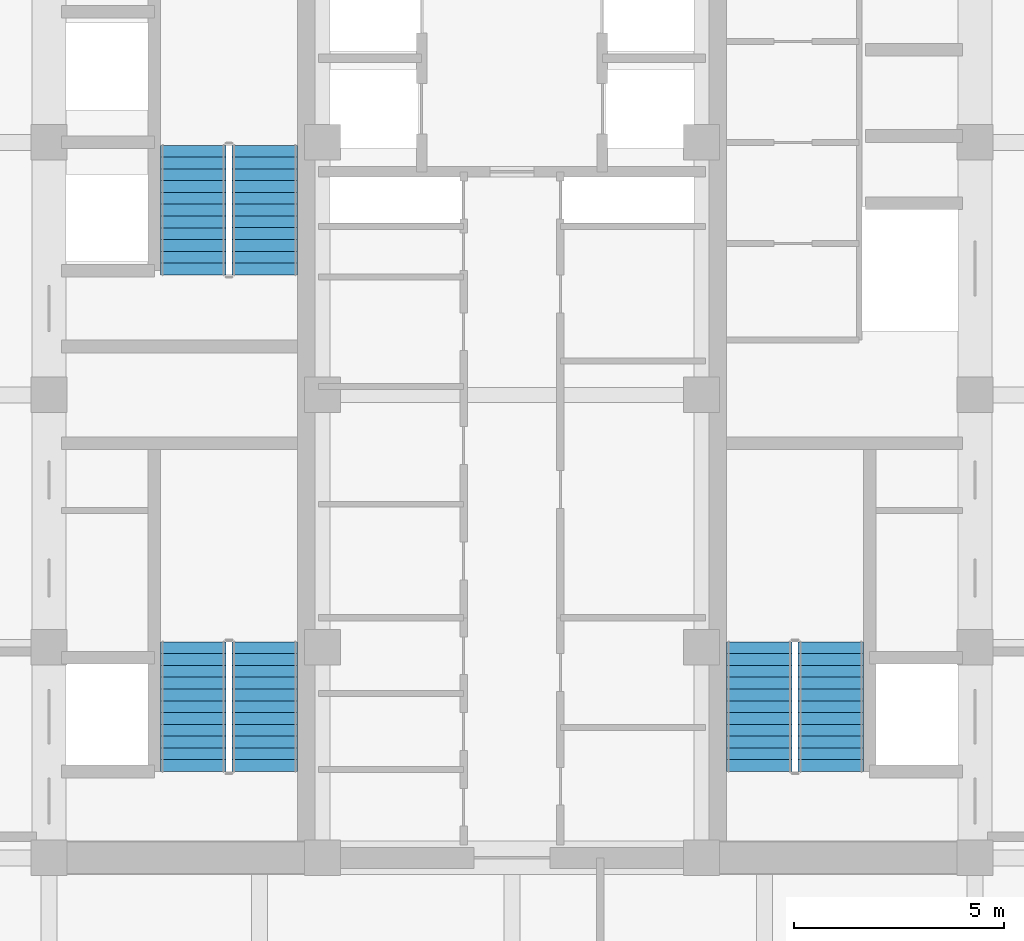
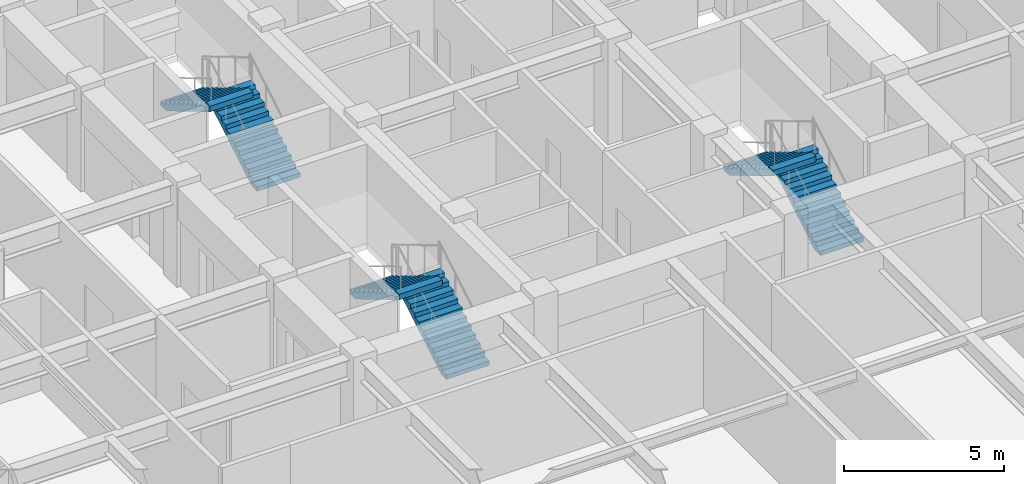
# One storey, part 24 of 25: 6 stair flights, 3 elements without a shape of their own.
"""IFC4 building model written with IfcOpenShell, lengths in metres."""

from ifc_helpers import new_model, si_unit, direction, frame, origin, place, context, subcontext, project, spatial, polyline, outline, extrude, source, transform, mapped, material, type_object, element, aggregate, save


model = new_model("IFC4")

# Units and contexts
model_context = context("Model", 3, precision=1e-05, world=origin(), true_north=direction((0.0, 1.0)))
body_context = subcontext(model_context, "Body", "Model", "MODEL_VIEW")
ifc_project = project(units=[si_unit("LENGTHUNIT", "METRE"), si_unit("AREAUNIT", "SQUARE_METRE"), si_unit("VOLUMEUNIT", "CUBIC_METRE"), si_unit("PLANEANGLEUNIT", "RADIAN"), si_unit("MASSUNIT", "GRAM", prefix="KILO")], contexts=[model_context])

# Site, building, storey
site_placement = place(None, origin())
site = spatial("IfcSite", under=ifc_project, at=site_placement, CompositionType="ELEMENT")
building_placement = place(site_placement, origin())
building = spatial("IfcBuilding", under=site, at=building_placement, Name="Khorayat Bourse Tower", CompositionType="ELEMENT")
storey_placement = place(building_placement, frame((0.0, 0.0, 199.10009765625)))
storey = spatial("IfcBuildingStorey", under=building, at=storey_placement, Name="L46", CompositionType="ELEMENT", Elevation=199.10009765625)

# Stair, stair flights
ifc_material = material(Name="Concrete C40/50", Category="concrete")
stair_type = type_object("IfcStairType", Name="STR-CORE-1550", PredefinedType="HALF_TURN_STAIR", material=ifc_material)
stair_1_placement = place(storey_placement, origin())
stair_1 = element("IfcStair", 1, at=stair_1_placement, inside=storey, type_object=stair_type, Name="L46 Exit Stair ST-1", PredefinedType="HALF_TURN_STAIR")
stair_flight_type = type_object("IfcStairFlightType", Name="FLT-CORE-1550", PredefinedType="STRAIGHT", material=ifc_material)
shared_shape = source(origin(), body_context, "Body", "SweptSolid", [
    extrude(outline(polyline([(0.0, 0.0), (0.0, 0.166748046875), (0.280029296875, 0.166748046875), (0.280029296875, 0.333251953125), (0.56005859375, 0.333251953125), (0.56005859375, 0.5), (0.840087890625, 0.5), (0.840087890625, 0.666748046875), (1.1201171875, 0.666748046875), (1.1201171875, 0.833251953125), (1.39990234375, 0.833251953125), (1.39990234375, 1.0), (1.679931640625, 1.0), (1.679931640625, 1.166748046875), (1.9599609375, 1.166748046875), (1.9599609375, 1.333251953125), (2.239990234375, 1.333251953125), (2.239990234375, 1.5), (2.52001953125, 1.5), (2.52001953125, 1.666748046875), (2.800048828125, 1.666748046875), (2.800048828125, 1.833251953125), (3.080078125, 1.833251953125), (3.080078125, 2.0), (3.080078125, 1.6240234375), (0.351806640625, 0.0), (0.0, 0.0)])), frame((0.0, 0.77490234375, 0.0), z_axis=(0.0, -1.0, 0.0), x_axis=(1.0, 0.0, 0.0)), (0.0, 0.0, 1.0), 1.550048828125),
])
stair_flight_1_placement = place(storey_placement, frame((-5.875, -8.949951171875, 0.0), z_axis=(0.0, 0.0, 1.0), x_axis=(0.0, 1.0, 0.0)))
stair_flight_1 = element("IfcStairFlight", 2, at=stair_flight_1_placement, type_object=stair_flight_type, Name="ST-1 flight 1", NumberOfRisers=12, NumberOfTreads=11, PredefinedType="STRAIGHT", RiserHeight=0.166666667, TreadLength=0.28, context=body_context, shape_type="MappedRepresentation", body=[
    mapped(shared_shape, transform((0.0, 0.0, 0.0), scale=1.0)),
])
stair_flight_2_placement = place(storey_placement, frame((-7.574951171875, -5.8701171875, 2.0), z_axis=(0.0, 0.0, 1.0), x_axis=(0.0, -1.0, 0.0)))
stair_flight_2 = element("IfcStairFlight", 3, at=stair_flight_2_placement, type_object=stair_flight_type, Name="ST-1 flight 2", NumberOfRisers=12, NumberOfTreads=11, PredefinedType="STRAIGHT", RiserHeight=0.166666667, TreadLength=0.28, context=body_context, shape_type="MappedRepresentation", body=[
    mapped(shared_shape, transform((0.0, 0.0, 0.0), scale=1.0)),
])
aggregate(stair_1, [stair_flight_1, stair_flight_2])

stair_2_placement = place(storey_placement, origin())
stair_2 = element("IfcStair", 4, at=stair_2_placement, inside=storey, type_object=stair_type, Name="L46 Exit Stair ST-2", PredefinedType="HALF_TURN_STAIR")
stair_flight_3_placement = place(storey_placement, frame((-5.875, 2.85009765625, 0.0), z_axis=(0.0, 0.0, 1.0), x_axis=(0.0, 1.0, 0.0)))
stair_flight_3 = element("IfcStairFlight", 5, at=stair_flight_3_placement, type_object=stair_flight_type, Name="ST-2 flight 1", NumberOfRisers=12, NumberOfTreads=11, PredefinedType="STRAIGHT", RiserHeight=0.166666667, TreadLength=0.28, context=body_context, shape_type="MappedRepresentation", body=[
    mapped(shared_shape, transform((0.0, 0.0, 0.0), scale=1.0)),
])
stair_flight_4_placement = place(storey_placement, frame((-7.574951171875, 5.929931640625, 2.0), z_axis=(0.0, 0.0, 1.0), x_axis=(0.0, -1.0, 0.0)))
stair_flight_4 = element("IfcStairFlight", 6, at=stair_flight_4_placement, type_object=stair_flight_type, Name="ST-2 flight 2", NumberOfRisers=12, NumberOfTreads=11, PredefinedType="STRAIGHT", RiserHeight=0.166666667, TreadLength=0.28, context=body_context, shape_type="MappedRepresentation", body=[
    mapped(shared_shape, transform((0.0, 0.0, 0.0), scale=1.0)),
])
aggregate(stair_2, [stair_flight_3, stair_flight_4])

stair_3_placement = place(storey_placement, origin())
stair_3 = element("IfcStair", 7, at=stair_3_placement, inside=storey, type_object=stair_type, Name="L46 Exit Stair ST-3", PredefinedType="HALF_TURN_STAIR")
stair_flight_5_placement = place(storey_placement, frame((7.574951171875, -8.949951171875, 0.0), z_axis=(0.0, 0.0, 1.0), x_axis=(0.0, 1.0, 0.0)))
stair_flight_5 = element("IfcStairFlight", 8, at=stair_flight_5_placement, type_object=stair_flight_type, Name="ST-3 flight 1", NumberOfRisers=12, NumberOfTreads=11, PredefinedType="STRAIGHT", RiserHeight=0.166666667, TreadLength=0.28, context=body_context, shape_type="MappedRepresentation", body=[
    mapped(shared_shape, transform((0.0, 0.0, 0.0), scale=1.0)),
])
stair_flight_6_placement = place(storey_placement, frame((5.875, -5.8701171875, 2.0), z_axis=(0.0, 0.0, 1.0), x_axis=(0.0, -1.0, 0.0)))
stair_flight_6 = element("IfcStairFlight", 9, at=stair_flight_6_placement, type_object=stair_flight_type, Name="ST-3 flight 2", NumberOfRisers=12, NumberOfTreads=11, PredefinedType="STRAIGHT", RiserHeight=0.166666667, TreadLength=0.28, context=body_context, shape_type="MappedRepresentation", body=[
    mapped(shared_shape, transform((0.0, 0.0, 0.0), scale=1.0)),
])
aggregate(stair_3, [stair_flight_5, stair_flight_6])

save(model, "model.ifc")
